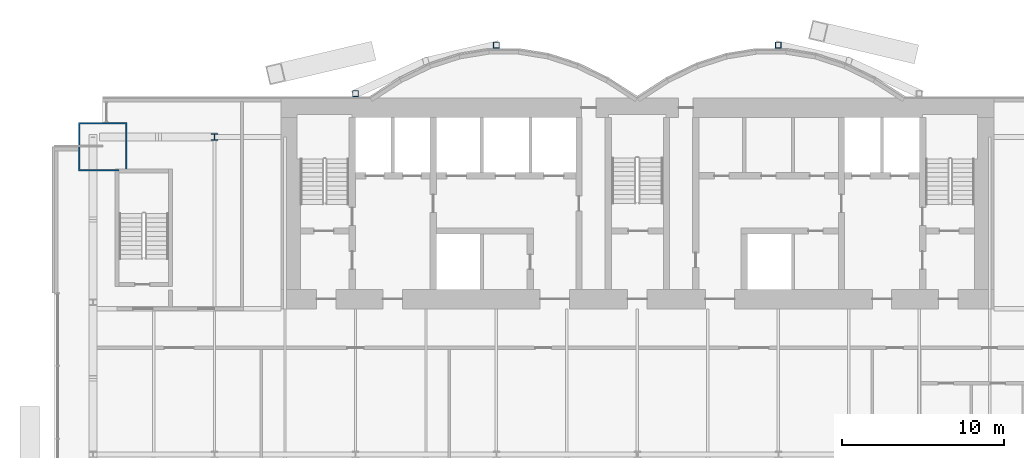
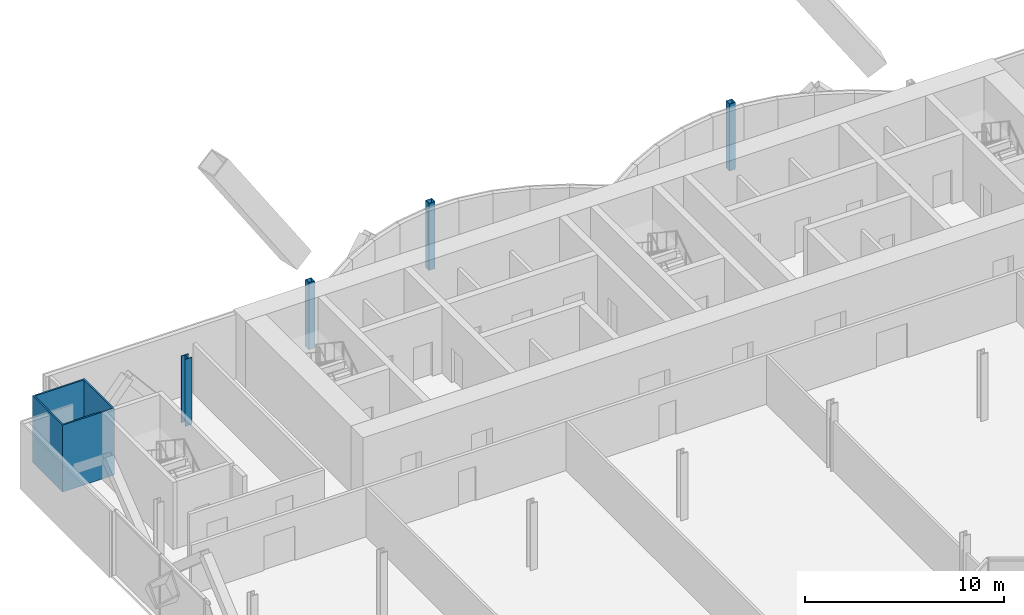
# One storey, part 2 of 23: 5 columns.
"""IFC4 building model written with IfcOpenShell, lengths in metres."""

from ifc_helpers import new_model, si_unit, direction, frame, origin, origin_2d, place, context, subcontext, project, spatial, hollow_rectangle, i_section, extrude, material, material_profile, profile_set, type_object, element, save


model = new_model("IFC4")

# Units and contexts
model_context = context("Model", 3, precision=1e-05, world=origin(), true_north=direction((0.0, 1.0)))
body_context = subcontext(model_context, "Body", "Model", "MODEL_VIEW")
ifc_project = project(units=[si_unit("LENGTHUNIT", "METRE"), si_unit("AREAUNIT", "SQUARE_METRE"), si_unit("VOLUMEUNIT", "CUBIC_METRE"), si_unit("PLANEANGLEUNIT", "RADIAN"), si_unit("MASSUNIT", "GRAM", prefix="KILO")], contexts=[model_context])

# Site, building, storey
site_placement = place(None, origin())
site = spatial("IfcSite", under=ifc_project, at=site_placement, CompositionType="ELEMENT")
building_placement = place(site_placement, origin())
building = spatial("IfcBuilding", under=site, at=building_placement, Name="Bicima Exchange Tower", CompositionType="ELEMENT")
storey_placement = place(building_placement, frame((0.0, 0.0, 110.39990234375)))
storey = spatial("IfcBuildingStorey", under=building, at=storey_placement, Name="L23", CompositionType="ELEMENT", Elevation=110.39990234375)

# Columns
ifc_material_1 = material(Name="Steel ASTM A572 Gr 50", Category="steel")
ifc_material_profile_1 = material_profile(ifc_material_1, hollow_rectangle(XDim=3.0, YDim=3.0, WallThickness=0.090087890625, at=origin_2d()))
ifc_profile_set_1 = profile_set([ifc_material_profile_1], Name="Steel ASTM A572 Gr 50")
column_type_1 = type_object("IfcColumnType", Name="Mega column BOX 3000x3000x90", PredefinedType="COLUMN", material=ifc_profile_set_1)
column_1_placement = place(storey_placement, frame((-33.0, -3.0, 0.0), z_axis=(0.0, 0.0, 1.0), x_axis=(1.0, 0.0, 0.0)))
element("IfcColumn", 1, at=column_1_placement, inside=storey, type_object=column_type_1, Name="Mega column mega-33.0r", PredefinedType="COLUMN", context=body_context, shape_type="SweptSolid", body=[
    extrude(hollow_rectangle(XDim=3.0, YDim=3.0, WallThickness=0.090087890625, at=origin_2d()), origin(), (0.0, 0.0, 1.0), 4.10009765625),
])
ifc_material_2 = material(Name="Steel ASTM A992 Gr 50", Category="steel")
ifc_material_profile_2 = material_profile(ifc_material_2, i_section(OverallWidth=0.398681640625, OverallDepth=0.393798828125, WebThickness=0.022705078125, FlangeThickness=0.03662109375, at=origin_2d()))
ifc_profile_set_2 = profile_set([ifc_material_profile_2], Name="Steel ASTM A992 Gr 50")
column_type_2 = type_object("IfcColumnType", Name="Perimeter column W14x193", PredefinedType="COLUMN", material=ifc_profile_set_2)
column_2_placement = place(storey_placement, frame((-26.10009765625, -2.39990234375, 0.0), z_axis=(0.0, 0.0, 1.0), x_axis=(1.0, 0.0, 0.0)))
element("IfcColumn", 2, at=column_2_placement, inside=storey, type_object=column_type_2, Name="Perimeter column grav-26.1r", PredefinedType="COLUMN", context=body_context, shape_type="SweptSolid", body=[
    extrude(i_section(OverallWidth=0.398681640625, OverallDepth=0.393798828125, WebThickness=0.022705078125, FlangeThickness=0.03662109375, at=origin_2d()), origin(), (0.0, 0.0, 1.0), 4.10009765625),
])
ifc_material_profile_3 = material_profile(ifc_material_1, hollow_rectangle(XDim=0.355712890625, YDim=0.355712890625, WallThickness=0.01171875, at=origin_2d()))
ifc_profile_set_3 = profile_set([ifc_material_profile_3], Name="Steel ASTM A572 Gr 50")
column_type_3 = type_object("IfcColumnType", Name="Rear pilaster HSS14x14x1/2", PredefinedType="COLUMN", material=ifc_profile_set_3)
for number, where, z_axis, x_axis, name in (
    (3, (-8.699951171875, 3.26904296875, 0.0), (0.0, 0.0, 1.0), (1.0, 0.0, 0.0), "Rear pilaster rexo-8.7r"),
    (4, (-17.39990234375, 0.278076171875, 0.0), (0.0, 0.0, 1.0), (1.0, 0.0, 0.0), "Rear pilaster rexo-17.4r"),
    (5, (8.699951171875, 3.26904296875, 0.0), (0.0, 0.0, 1.0), (1.0, 0.0, 0.0), "Rear pilaster rexo+8.7r"),
):
    element("IfcColumn", number, at=place(storey_placement, frame(where, z_axis=z_axis, x_axis=x_axis)), inside=storey, type_object=column_type_3, Name=name, PredefinedType="COLUMN", context=body_context, shape_type="SweptSolid", body=[
        extrude(hollow_rectangle(XDim=0.355712890625, YDim=0.355712890625, WallThickness=0.01171875, at=origin_2d()), origin(), (0.0, 0.0, 1.0), 4.10009765625),
    ])

save(model, "model.ifc")
